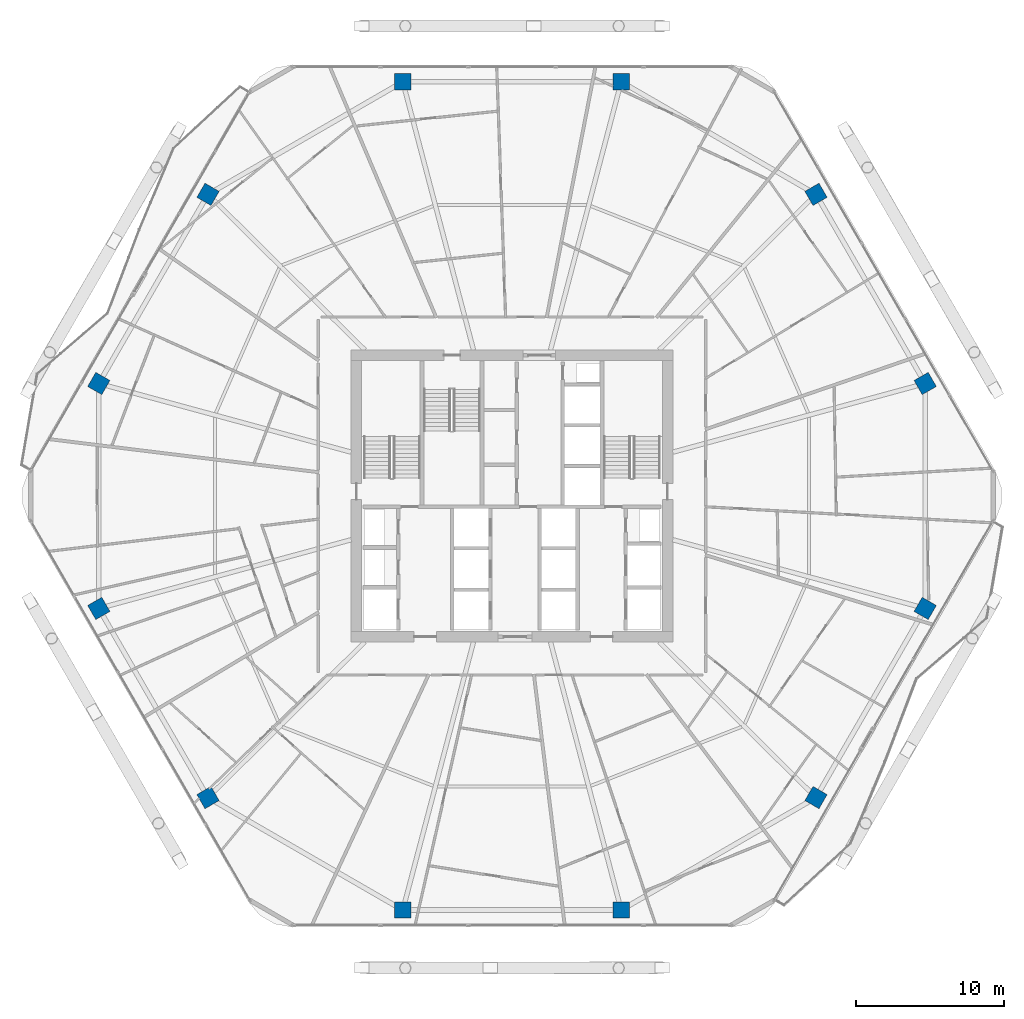
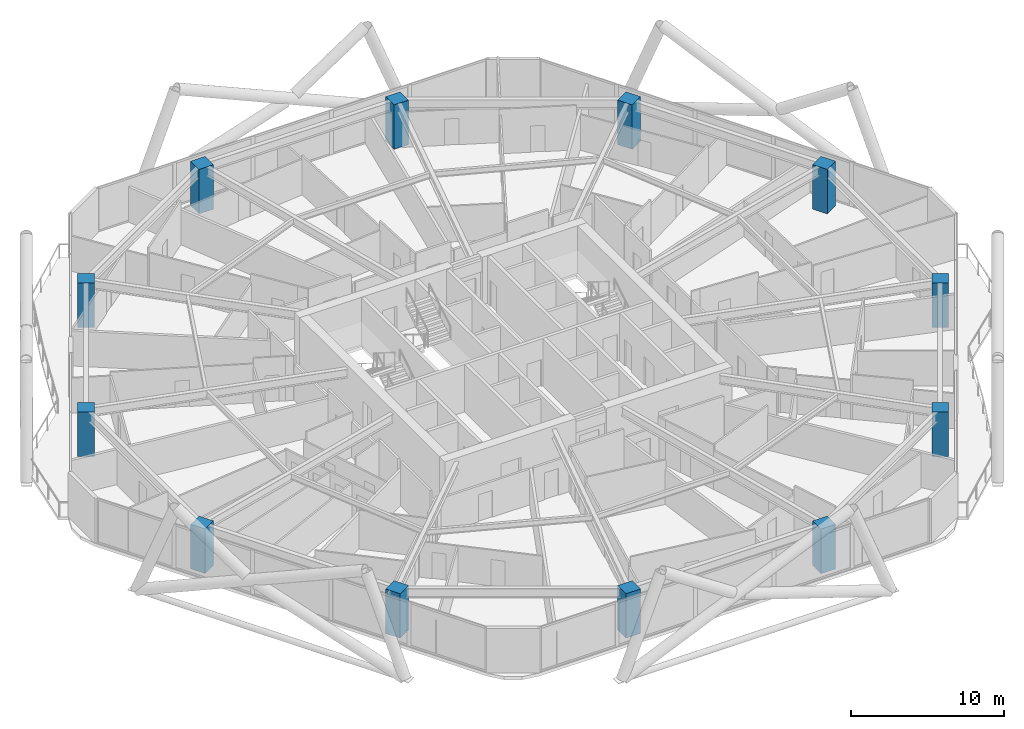
# One storey, part 1 of 36: 12 columns.
"""IFC4 building model written with IfcOpenShell, lengths in metres."""

from ifc_helpers import new_model, si_unit, direction, frame, origin, origin_2d, place, context, subcontext, project, spatial, rectangle, extrude, material, material_profile, profile_set, type_object, element, save


model = new_model("IFC4")

# Units and contexts
model_context = context("Model", 3, precision=1e-05, world=origin(), true_north=direction((0.0, 1.0)))
body_context = subcontext(model_context, "Body", "Model", "MODEL_VIEW")
ifc_project = project(units=[si_unit("LENGTHUNIT", "METRE"), si_unit("AREAUNIT", "SQUARE_METRE"), si_unit("VOLUMEUNIT", "CUBIC_METRE"), si_unit("PLANEANGLEUNIT", "RADIAN"), si_unit("MASSUNIT", "GRAM", prefix="KILO")], contexts=[model_context])

# Site, building, storey
site_placement = place(None, origin())
site = spatial("IfcSite", under=ifc_project, at=site_placement, CompositionType="ELEMENT")
building_placement = place(site_placement, origin())
building = spatial("IfcBuilding", under=site, at=building_placement, Name="Zuhravey Tower", CompositionType="ELEMENT")
storey_placement = place(building_placement, frame((0.0, 0.0, 107.60009765625)))
storey = spatial("IfcBuildingStorey", under=building, at=storey_placement, Name="L26", CompositionType="ELEMENT", Elevation=107.60009765625)

# Columns
ifc_material = material(Name="Concrete C60/75", Category="concrete")
ifc_material_profile = material_profile(ifc_material, rectangle(XDim=1.10009765625, YDim=1.10009765625, at=origin_2d()), Name="RC-1100x1100")
ifc_profile_set = profile_set([ifc_material_profile], Name="Concrete C60/75")
column_type = type_object("IfcColumnType", Name="Zone 1 Upper Column 1100x1100", PredefinedType="COLUMN", material=ifc_profile_set)
for number, where, z_axis, x_axis, name in (
    (1, (63.88916015625, 39.591552734375, 0.0), (0.0, 0.0, 1.0), (-0.5, 0.866025403784, 0.0), "L26 Perimeter Column PC01"),
    (2, (56.51904296875, 52.35693359375, 0.0), (0.0, 0.0, 1.0), (-0.5, 0.866025403784, 0.0), "L26 Perimeter Column PC02"),
    (3, (43.3701171875, 59.948486328125, 0.0), (0.0, 0.0, 1.0), (-1.0, 0.0, 0.0), "L26 Perimeter Column PC03"),
    (4, (28.6298828125, 59.948486328125, 0.0), (0.0, 0.0, 1.0), (-1.0, 0.0, 0.0), "L26 Perimeter Column PC04"),
    (5, (15.48095703125, 52.35693359375, 0.0), (0.0, 0.0, 1.0), (-0.5, -0.866025403784, 0.0), "L26 Perimeter Column PC05"),
    (6, (8.11083984375, 39.591552734375, 0.0), (0.0, 0.0, 1.0), (-0.5, -0.866025403784, 0.0), "L26 Perimeter Column PC06"),
    (7, (8.11083984375, 24.408447265625, 0.0), (0.0, 0.0, 1.0), (0.5, -0.866025403784, 0.0), "L26 Perimeter Column PC07"),
    (8, (15.48095703125, 11.64306640625, 0.0), (0.0, 0.0, 1.0), (0.5, -0.866025403784, 0.0), "L26 Perimeter Column PC08"),
    (9, (28.6298828125, 4.051513671875, 0.0), (0.0, 0.0, 1.0), (1.0, 0.0, 0.0), "L26 Perimeter Column PC09"),
    (10, (43.3701171875, 4.051513671875, 0.0), (0.0, 0.0, 1.0), (1.0, 0.0, 0.0), "L26 Perimeter Column PC10"),
    (11, (56.51904296875, 11.64306640625, 0.0), (0.0, 0.0, 1.0), (0.5, 0.866025403784, 0.0), "L26 Perimeter Column PC11"),
    (12, (63.88916015625, 24.408447265625, 0.0), (0.0, 0.0, 1.0), (0.5, 0.866025403784, 0.0), "L26 Perimeter Column PC12"),
):
    element("IfcColumn", number, at=place(storey_placement, frame(where, z_axis=z_axis, x_axis=x_axis)), inside=storey, type_object=column_type, Name=name, PredefinedType="COLUMN", context=body_context, shape_type="SweptSolid", body=[
        extrude(rectangle(XDim=1.10009765625, YDim=1.10009765625, at=origin_2d()), origin(), (0.0, 0.0, 1.0), 3.5498046875),
    ])

save(model, "model.ifc")
